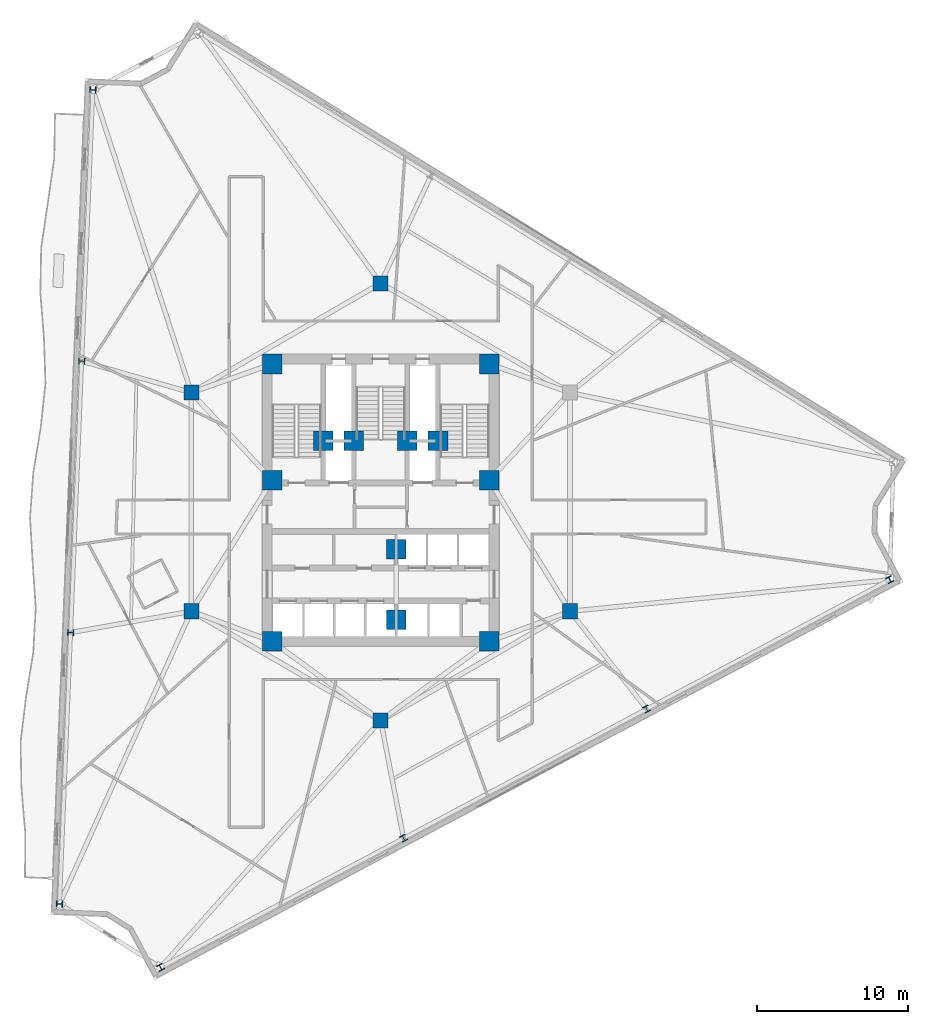
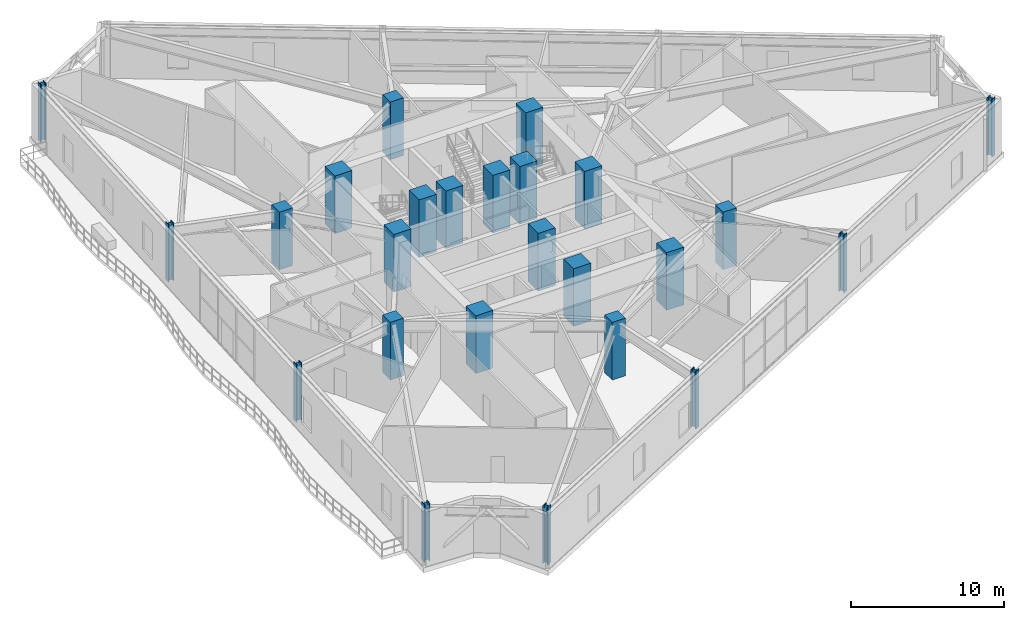
# One storey, part 1 of 22: 25 columns.
"""IFC4 building model written with IfcOpenShell, lengths in metres."""

from ifc_helpers import new_model, si_unit, direction, frame, origin, origin_2d, place, context, subcontext, project, spatial, rectangle, i_section, extrude, material, material_profile, profile_set, type_object, element, save


model = new_model("IFC4")

# Units and contexts
model_context = context("Model", 3, precision=1e-05, world=origin(), true_north=direction((0.0, 1.0)))
body_context = subcontext(model_context, "Body", "Model", "MODEL_VIEW")
ifc_project = project(units=[si_unit("LENGTHUNIT", "METRE"), si_unit("AREAUNIT", "SQUARE_METRE"), si_unit("VOLUMEUNIT", "CUBIC_METRE"), si_unit("PLANEANGLEUNIT", "RADIAN"), si_unit("MASSUNIT", "GRAM", prefix="KILO")], contexts=[model_context])

# Site, building, storey
site_placement = place(None, origin())
site = spatial("IfcSite", under=ifc_project, at=site_placement, CompositionType="ELEMENT")
building_placement = place(site_placement, origin())
building = spatial("IfcBuilding", under=site, at=building_placement, Name="Apsidion Concourse Tower", CompositionType="ELEMENT")
storey_placement = place(building_placement, frame((0.0, 0.0, 160.89990234375)))
storey = spatial("IfcBuildingStorey", under=building, at=storey_placement, Name="L37", CompositionType="ELEMENT", Elevation=160.89990234375)

# Columns
ifc_material_1 = material(Name="Concrete C50/60", Category="concrete")
ifc_material_profile_1 = material_profile(ifc_material_1, rectangle(XDim=1.0, YDim=1.0, at=origin_2d()), Name="RC 1000x1000")
ifc_profile_set_1 = profile_set([ifc_material_profile_1], Name="Concrete C50/60")
column_type_1 = type_object("IfcColumnType", Name="COL-RC-1000", PredefinedType="COLUMN", material=ifc_profile_set_1)
for number, where, z_axis, x_axis, name in (
    (1, (-12.56005859375, -7.25, 0.0), (0.0, 0.0, 1.0), (1.0, 0.0, 0.0), "L37 Interior Spine Column IC1"),
    (2, (12.56005859375, -7.25, 0.0), (0.0, 0.0, 1.0), (1.0, 0.0, 0.0), "L37 Interior Spine Column IC2"),
    (3, (0.0, 14.5, 0.0), (0.0, 0.0, 1.0), (1.0, 0.0, 0.0), "L37 Interior Spine Column IC4"),
    (4, (-12.56005859375, 7.25, 0.0), (0.0, 0.0, 1.0), (1.0, 0.0, 0.0), "L37 Interior Spine Column IC5"),
    (5, (0.0, -14.5, 0.0), (0.0, 0.0, 1.0), (1.0, 0.0, 0.0), "L37 Interior Spine Column IC6"),
):
    element("IfcColumn", number, at=place(storey_placement, frame(where, z_axis=z_axis, x_axis=x_axis)), inside=storey, type_object=column_type_1, Name=name, PredefinedType="COLUMN", context=body_context, shape_type="SweptSolid", body=[
        extrude(rectangle(XDim=1.0, YDim=1.0, at=origin_2d()), origin(), (0.0, 0.0, 1.0), 4.60009765625),
    ])
ifc_material_profile_2 = material_profile(ifc_material_1, rectangle(XDim=1.300048828125, YDim=1.300048828125, at=origin_2d()), Name="RC 1300x1300")
ifc_profile_set_2 = profile_set([ifc_material_profile_2], Name="Concrete C50/60")
column_type_2 = type_object("IfcColumnType", Name="COL-RC-1300", PredefinedType="COLUMN", material=ifc_profile_set_2)
for number, where, z_axis, x_axis, name in (
    (6, (-7.199951171875, -9.25, 0.0), (0.0, 0.0, 1.0), (1.0, 0.0, 0.0), "L37 Core Super-Column SC1"),
    (7, (7.199951171875, -9.25, 0.0), (0.0, 0.0, 1.0), (1.0, 0.0, 0.0), "L37 Core Super-Column SC2"),
    (8, (7.199951171875, 1.449951171875, 0.0), (0.0, 0.0, 1.0), (1.0, 0.0, 0.0), "L37 Core Super-Column SC3"),
    (9, (7.199951171875, 9.14990234375, 0.0), (0.0, 0.0, 1.0), (1.0, 0.0, 0.0), "L37 Core Super-Column SC4"),
    (10, (-7.199951171875, 9.14990234375, 0.0), (0.0, 0.0, 1.0), (1.0, 0.0, 0.0), "L37 Core Super-Column SC5"),
    (11, (-7.199951171875, 1.449951171875, 0.0), (0.0, 0.0, 1.0), (1.0, 0.0, 0.0), "L37 Core Super-Column SC6"),
    (12, (-3.800048828125, 4.050048828125, 0.0), (0.0, 0.0, 1.0), (1.0, 0.0, 0.0), "L37 Core Super-Column CC1"),
    (13, (3.800048828125, 4.050048828125, 0.0), (0.0, 0.0, 1.0), (1.0, 0.0, 0.0), "L37 Core Super-Column CC2"),
    (14, (-1.77490234375, 4.050048828125, 0.0), (0.0, 0.0, 1.0), (1.0, 0.0, 0.0), "L37 Core Super-Column CC3"),
    (15, (1.77490234375, 4.050048828125, 0.0), (0.0, 0.0, 1.0), (1.0, 0.0, 0.0), "L37 Core Super-Column CC4"),
    (16, (1.02490234375, -3.14990234375, 0.0), (0.0, 0.0, 1.0), (1.0, 0.0, 0.0), "L37 Core Super-Column CC5"),
    (17, (1.02490234375, -7.800048828125, 0.0), (0.0, 0.0, 1.0), (1.0, 0.0, 0.0), "L37 Core Super-Column CC6"),
):
    element("IfcColumn", number, at=place(storey_placement, frame(where, z_axis=z_axis, x_axis=x_axis)), inside=storey, type_object=column_type_2, Name=name, PredefinedType="COLUMN", context=body_context, shape_type="SweptSolid", body=[
        extrude(rectangle(XDim=1.300048828125, YDim=1.300048828125, at=origin_2d()), origin(), (0.0, 0.0, 1.0), 4.60009765625),
    ])
ifc_material_2 = material(Name="Structural steel ASTM A992 Grade 50", Category="steel")
ifc_material_profile_3 = material_profile(ifc_material_2, i_section(OverallWidth=0.406005859375, OverallDepth=0.4169921875, WebThickness=0.02978515625, FlangeThickness=0.048095703125, at=origin_2d()), Name="W14X257")
ifc_profile_set_3 = profile_set([ifc_material_profile_3], Name="Structural steel ASTM A992 Grade 50")
column_type_3 = type_object("IfcColumnType", Name="COL-W14-257", PredefinedType="COLUMN", material=ifc_profile_set_3)
for number, where, z_axis, x_axis, name in (
    (18, (-19.086181640625, 27.331298828125, 0.0), (0.0, 0.0, 1.0), (0.041003738744, 0.999158993058, 0.0), "L37 Rotated Perimeter Column PC01"),
    (19, (-19.82421875, 9.3349609375, 0.0), (0.0, 0.0, 1.0), (0.041003738744, 0.999158993058, 0.0), "L37 Rotated Perimeter Column PC02"),
    (20, (-20.56201171875, -8.661376953125, 0.0), (0.0, 0.0, 1.0), (0.041003738744, 0.999158993058, 0.0), "L37 Rotated Perimeter Column PC03"),
    (21, (-21.300048828125, -26.65771484375, 0.0), (0.0, 0.0, 1.0), (0.041003738744, 0.999158993058, 0.0), "L37 Rotated Perimeter Column PC04"),
    (22, (-14.599609375, -30.872802734375, 0.0), (0.0, 0.0, 1.0), (0.882947592859, 0.469471562786, 0.0), "L37 Rotated Perimeter Column PC05"),
    (23, (1.519775390625, -22.302001953125, 0.0), (0.0, 0.0, 1.0), (0.882947592859, 0.469471562786, 0.0), "L37 Rotated Perimeter Column PC06"),
    (24, (17.639404296875, -13.731201171875, 0.0), (0.0, 0.0, 1.0), (0.882947592859, 0.469471562786, 0.0), "L37 Rotated Perimeter Column PC07"),
    (25, (33.7587890625, -5.160400390625, 0.0), (0.0, 0.0, 1.0), (0.882947592859, 0.469471562786, 0.0), "L37 Rotated Perimeter Column PC08"),
):
    element("IfcColumn", number, at=place(storey_placement, frame(where, z_axis=z_axis, x_axis=x_axis)), inside=storey, type_object=column_type_3, Name=name, PredefinedType="COLUMN", context=body_context, shape_type="SweptSolid", body=[
        extrude(i_section(OverallWidth=0.406005859375, OverallDepth=0.4169921875, WebThickness=0.02978515625, FlangeThickness=0.048095703125, at=origin_2d()), origin(), (0.0, 0.0, 1.0), 4.60009765625),
    ])

save(model, "model.ifc")
